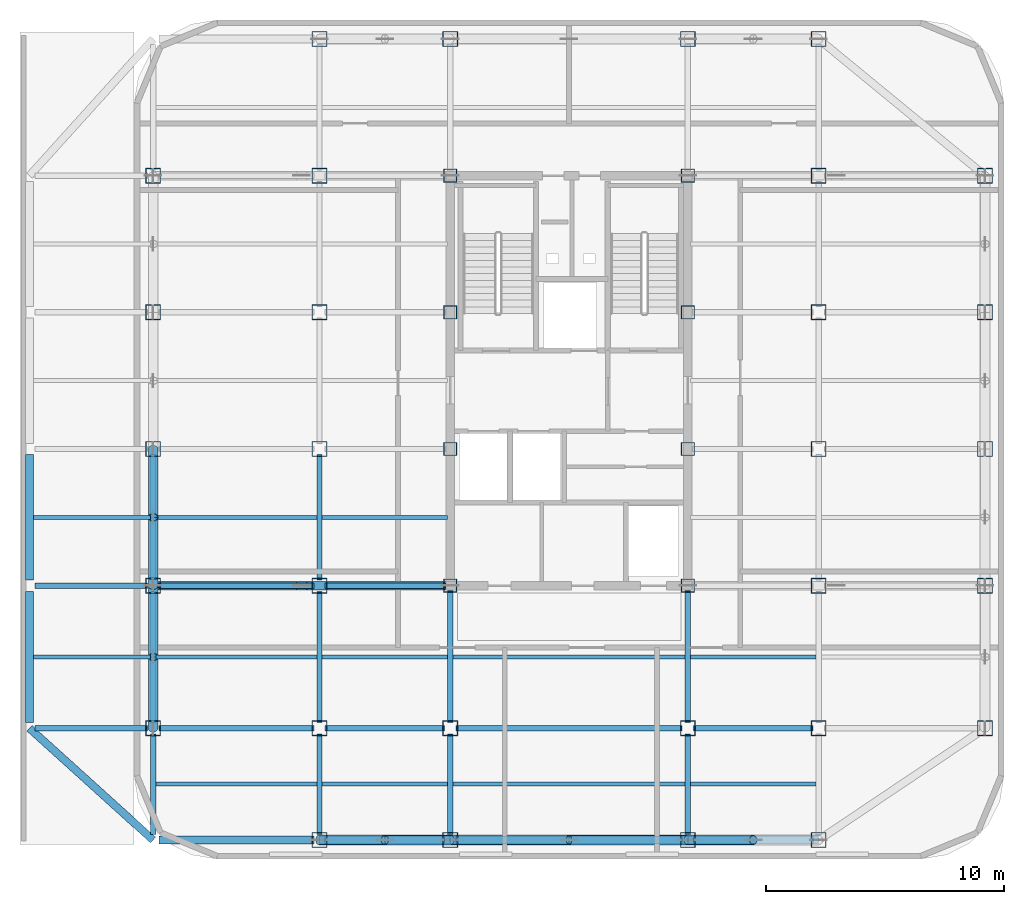
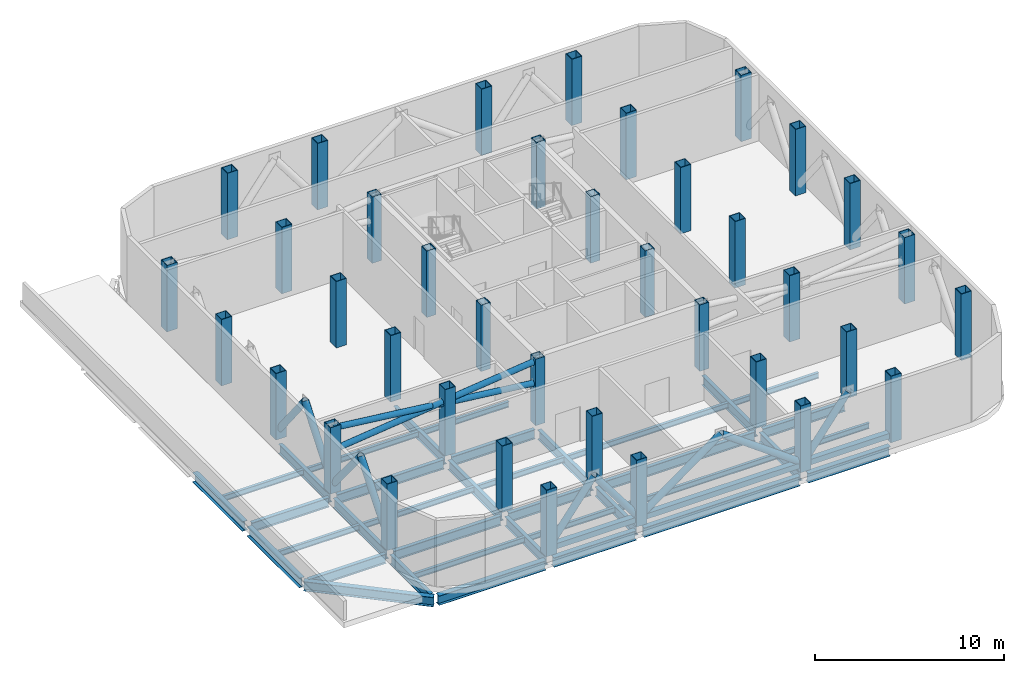
# One storey, part 1 of 7: 38 columns, 37 beams, 15 members.
"""IFC4 building model written with IfcOpenShell, lengths in metres."""

from ifc_helpers import new_model, si_unit, direction, frame, origin, origin_2d, place, context, subcontext, project, spatial, hollow_rectangle, hollow_circle, i_section, extrude, source, transform, mapped, material, material_profile, profile_set, type_object, element, save


model = new_model("IFC4")

# Units and contexts
model_context = context("Model", 3, precision=1e-05, world=origin(), true_north=direction((0.0, 1.0)))
body_context = subcontext(model_context, "Body", "Model", "MODEL_VIEW")
ifc_project = project(units=[si_unit("LENGTHUNIT", "METRE"), si_unit("AREAUNIT", "SQUARE_METRE"), si_unit("VOLUMEUNIT", "CUBIC_METRE"), si_unit("PLANEANGLEUNIT", "RADIAN"), si_unit("MASSUNIT", "GRAM", prefix="KILO")], contexts=[model_context])

# Site, building, storey
site_placement = place(None, origin())
site = spatial("IfcSite", under=ifc_project, at=site_placement, CompositionType="ELEMENT")
building_placement = place(site_placement, origin())
building = spatial("IfcBuilding", under=site, at=building_placement, Name="Kolveth Station Tower", CompositionType="ELEMENT")
storey_placement = place(building_placement, frame((0.0, 0.0, 215.60009765625)))
storey = spatial("IfcBuildingStorey", under=building, at=storey_placement, Name="L61", CompositionType="ELEMENT", Elevation=215.60009765625)

# Columns
ifc_material = material(Name="Steel S355", Category="steel")
ifc_material_profile_1 = material_profile(ifc_material, hollow_rectangle(XDim=0.639892578125, YDim=0.639892578125, WallThickness=0.034912109375, at=origin_2d()), Name="BOX640x640x35")
ifc_profile_set_1 = profile_set([ifc_material_profile_1], Name="Steel S355")
column_type_1 = type_object("IfcColumnType", Name="Col_C7", PredefinedType="COLUMN", material=ifc_profile_set_1)
shared_shape_1 = source(origin(), body_context, "Body", "SweptSolid", [
    extrude(hollow_rectangle(XDim=0.639892578125, YDim=0.639892578125, WallThickness=0.034912109375, at=origin_2d()), origin(), (0.0, 0.0, 1.0), 4.27978515625),
])
for number, where, z_axis, x_axis, name in (
    (1, (13.0, 0.800048828125, 0.0), (0.0, 0.0, 1.0), (1.0, 0.0, 0.0), "L61 Tower Column S-X130"),
    (2, (13.0, 34.5, 0.0), (0.0, 0.0, 1.0), (1.0, 0.0, 0.0), "L61 Tower Column N-X130"),
    (3, (18.5, 0.800048828125, 0.0), (0.0, 0.0, 1.0), (1.0, 0.0, 0.0), "L61 Tower Column S-X185"),
    (4, (18.5, 34.5, 0.0), (0.0, 0.0, 1.0), (1.0, 0.0, 0.0), "L61 Tower Column N-X185"),
    (5, (28.5, 0.800048828125, 0.0), (0.0, 0.0, 1.0), (1.0, 0.0, 0.0), "L61 Tower Column S-X285"),
    (6, (28.5, 34.5, 0.0), (0.0, 0.0, 1.0), (1.0, 0.0, 0.0), "L61 Tower Column N-X285"),
    (7, (34.0, 0.800048828125, 0.0), (0.0, 0.0, 1.0), (1.0, 0.0, 0.0), "L61 Tower Column S-X340"),
    (8, (34.0, 34.5, 0.0), (0.0, 0.0, 1.0), (1.0, 0.0, 0.0), "L61 Tower Column N-X340"),
    (9, (6.0, 5.5, 0.0), (0.0, 0.0, 1.0), (1.0, 0.0, 0.0), "L61 Tower Column W-Y55"),
    (10, (41.0, 5.5, 0.0), (0.0, 0.0, 1.0), (1.0, 0.0, 0.0), "L61 Tower Column E-Y55"),
    (11, (6.0, 11.5, 0.0), (0.0, 0.0, 1.0), (1.0, 0.0, 0.0), "L61 Tower Column W-Y115"),
    (12, (41.0, 11.5, 0.0), (0.0, 0.0, 1.0), (1.0, 0.0, 0.0), "L61 Tower Column E-Y115"),
    (13, (6.0, 17.25, 0.0), (0.0, 0.0, 1.0), (1.0, 0.0, 0.0), "L61 Tower Column W-Y172"),
    (14, (41.0, 17.25, 0.0), (0.0, 0.0, 1.0), (1.0, 0.0, 0.0), "L61 Tower Column E-Y172"),
    (15, (6.0, 23.0, 0.0), (0.0, 0.0, 1.0), (1.0, 0.0, 0.0), "L61 Tower Column W-Y230"),
    (16, (41.0, 23.0, 0.0), (0.0, 0.0, 1.0), (1.0, 0.0, 0.0), "L61 Tower Column E-Y230"),
    (17, (6.0, 28.75, 0.0), (0.0, 0.0, 1.0), (1.0, 0.0, 0.0), "L61 Tower Column W-Y287"),
    (18, (41.0, 28.75, 0.0), (0.0, 0.0, 1.0), (1.0, 0.0, 0.0), "L61 Tower Column E-Y287"),
    (19, (13.0, 5.5, 0.0), (0.0, 0.0, 1.0), (1.0, 0.0, 0.0), "L61 Tower Column G-130-55"),
    (20, (13.0, 11.5, 0.0), (0.0, 0.0, 1.0), (1.0, 0.0, 0.0), "L61 Tower Column G-130-115"),
    (21, (13.0, 17.25, 0.0), (0.0, 0.0, 1.0), (1.0, 0.0, 0.0), "L61 Tower Column G-130-172"),
    (22, (13.0, 23.0, 0.0), (0.0, 0.0, 1.0), (1.0, 0.0, 0.0), "L61 Tower Column G-130-230"),
    (23, (13.0, 28.75, 0.0), (0.0, 0.0, 1.0), (1.0, 0.0, 0.0), "L61 Tower Column G-130-287"),
    (24, (18.5, 5.5, 0.0), (0.0, 0.0, 1.0), (1.0, 0.0, 0.0), "L61 Tower Column G-185-55"),
    (25, (28.5, 5.5, 0.0), (0.0, 0.0, 1.0), (1.0, 0.0, 0.0), "L61 Tower Column G-285-55"),
    (26, (34.0, 5.5, 0.0), (0.0, 0.0, 1.0), (1.0, 0.0, 0.0), "L61 Tower Column G-340-55"),
    (27, (34.0, 11.5, 0.0), (0.0, 0.0, 1.0), (1.0, 0.0, 0.0), "L61 Tower Column G-340-115"),
    (28, (34.0, 17.25, 0.0), (0.0, 0.0, 1.0), (1.0, 0.0, 0.0), "L61 Tower Column G-340-172"),
    (29, (34.0, 23.0, 0.0), (0.0, 0.0, 1.0), (1.0, 0.0, 0.0), "L61 Tower Column G-340-230"),
    (30, (34.0, 28.75, 0.0), (0.0, 0.0, 1.0), (1.0, 0.0, 0.0), "L61 Tower Column G-340-287"),
):
    element("IfcColumn", number, at=place(storey_placement, frame(where, z_axis=z_axis, x_axis=x_axis)), inside=storey, type_object=column_type_1, Name=name, PredefinedType="COLUMN", context=body_context, shape_type="MappedRepresentation", body=[
        mapped(shared_shape_1, transform((0.0, 0.0, 0.0), x_axis=(1.0, 0.0, 0.0), y_axis=(0.0, 1.0, 0.0), z_axis=(0.0, 0.0, 1.0), scale=1.0)),
    ])
ifc_material_profile_2 = material_profile(ifc_material, hollow_rectangle(XDim=0.56005859375, YDim=0.56005859375, WallThickness=0.030029296875, at=origin_2d()), Name="BOX560x560x30")
ifc_profile_set_2 = profile_set([ifc_material_profile_2], Name="Steel S355")
column_type_2 = type_object("IfcColumnType", Name="Col_C8", PredefinedType="COLUMN", material=ifc_profile_set_2)
shared_shape_2 = source(origin(), body_context, "Body", "SweptSolid", [
    extrude(hollow_rectangle(XDim=0.56005859375, YDim=0.56005859375, WallThickness=0.030029296875, at=origin_2d()), origin(), (0.0, 0.0, 1.0), 4.27978515625),
])
for number, where, z_axis, x_axis, name in (
    (31, (18.5, 11.5, 0.0), (0.0, 0.0, 1.0), (1.0, 0.0, 0.0), "L61 Tower Column G-185-115"),
    (32, (18.5, 17.25, 0.0), (0.0, 0.0, 1.0), (1.0, 0.0, 0.0), "L61 Tower Column G-185-172"),
    (33, (18.5, 23.0, 0.0), (0.0, 0.0, 1.0), (1.0, 0.0, 0.0), "L61 Tower Column G-185-230"),
    (34, (18.5, 28.75, 0.0), (0.0, 0.0, 1.0), (1.0, 0.0, 0.0), "L61 Tower Column G-185-287"),
    (35, (28.5, 11.5, 0.0), (0.0, 0.0, 1.0), (1.0, 0.0, 0.0), "L61 Tower Column G-285-115"),
    (36, (28.5, 17.25, 0.0), (0.0, 0.0, 1.0), (1.0, 0.0, 0.0), "L61 Tower Column G-285-172"),
    (37, (28.5, 23.0, 0.0), (0.0, 0.0, 1.0), (1.0, 0.0, 0.0), "L61 Tower Column G-285-230"),
    (38, (28.5, 28.75, 0.0), (0.0, 0.0, 1.0), (1.0, 0.0, 0.0), "L61 Tower Column G-285-287"),
):
    element("IfcColumn", number, at=place(storey_placement, frame(where, z_axis=z_axis, x_axis=x_axis)), inside=storey, type_object=column_type_2, Name=name, PredefinedType="COLUMN", context=body_context, shape_type="MappedRepresentation", body=[
        mapped(shared_shape_2, transform((0.0, 0.0, 0.0), x_axis=(1.0, 0.0, 0.0), y_axis=(0.0, 1.0, 0.0), z_axis=(0.0, 0.0, 1.0), scale=1.0)),
    ])

# Beams
ifc_material_profile_3 = material_profile(ifc_material, i_section(OverallWidth=0.323974609375, OverallDepth=0.611083984375, WebThickness=0.0126953125, FlangeThickness=0.01904296875, at=origin_2d()), Name="W610x155")
ifc_profile_set_3 = profile_set([ifc_material_profile_3], Name="Steel S355")
beam_type_1 = type_object("IfcBeamType", Name="Beam_SP2", PredefinedType="SPANDREL", material=ifc_profile_set_3)
shared_shape_3 = source(origin(), body_context, "Body", "SweptSolid", [
    extrude(i_section(OverallWidth=0.323974609375, OverallDepth=0.611083984375, WebThickness=0.0126953125, FlangeThickness=0.01904296875, at=origin_2d()), origin(), (0.0, 0.0, 1.0), 7.00927734375),
])
beam_1_placement = place(storey_placement, frame((0.800048828125, 5.5, -0.66552734375), z_axis=(0.741874009795, -0.670539300557, 0.0), x_axis=(0.670539300557, 0.741874009795, 0.0)))
element("IfcBeam", 39, at=beam_1_placement, inside=storey, type_object=beam_type_1, Name="L61 Corner Edge Girder BM-L61-CNR-SW", PredefinedType="SPANDREL", context=body_context, shape_type="MappedRepresentation", body=[
    mapped(shared_shape_3, transform((0.0, 0.0, 0.0), x_axis=(1.0, 0.0, 0.0), y_axis=(0.0, 1.0, 0.0), z_axis=(0.0, 0.0, 1.0), scale=1.0)),
])
shared_shape_4 = source(origin(), body_context, "Body", "SweptSolid", [
    extrude(i_section(OverallWidth=0.323974609375, OverallDepth=0.611083984375, WebThickness=0.0126953125, FlangeThickness=0.01904296875, at=origin_2d()), origin(), (0.0, 0.0, 1.0), 6.52001953125),
])
beam_2_placement = place(storey_placement, frame((6.239990234375, 0.800048828125, -0.66552734375), z_axis=(1.0, 0.0, 0.0), x_axis=(0.0, 1.0, 0.0)))
element("IfcBeam", 40, at=beam_2_placement, inside=storey, type_object=beam_type_1, Name="L61 Perimeter Spandrel BM-L61-PS-1", PredefinedType="SPANDREL", context=body_context, shape_type="MappedRepresentation", body=[
    mapped(shared_shape_4, transform((0.0, 0.0, 0.0), x_axis=(1.0, 0.0, 0.0), y_axis=(0.0, 1.0, 0.0), z_axis=(0.0, 0.0, 1.0), scale=1.0)),
])
shared_shape_5 = source(origin(), body_context, "Body", "SweptSolid", [
    extrude(i_section(OverallWidth=0.323974609375, OverallDepth=0.611083984375, WebThickness=0.0126953125, FlangeThickness=0.01904296875, at=origin_2d()), origin(), (0.0, 0.0, 1.0), 5.02001953125),
])
for number, where, z_axis, x_axis, name in (
    (41, (13.239990234375, 0.800048828125, -0.66552734375), (1.0, 0.0, 0.0), (0.0, 1.0, 0.0), "L61 Perimeter Spandrel BM-L61-PS-2"),
    (42, (28.739990234375, 0.800048828125, -0.66552734375), (1.0, 0.0, 0.0), (0.0, 1.0, 0.0), "L61 Perimeter Spandrel BM-L61-PS-4"),
):
    element("IfcBeam", number, at=place(storey_placement, frame(where, z_axis=z_axis, x_axis=x_axis)), inside=storey, type_object=beam_type_1, Name=name, PredefinedType="SPANDREL", context=body_context, shape_type="MappedRepresentation", body=[
        mapped(shared_shape_5, transform((0.0, 0.0, 0.0), x_axis=(1.0, 0.0, 0.0), y_axis=(0.0, 1.0, 0.0), z_axis=(0.0, 0.0, 1.0), scale=1.0)),
    ])
shared_shape_6 = source(origin(), body_context, "Body", "SweptSolid", [
    extrude(i_section(OverallWidth=0.323974609375, OverallDepth=0.611083984375, WebThickness=0.0126953125, FlangeThickness=0.01904296875, at=origin_2d()), origin(), (0.0, 0.0, 1.0), 9.52001953125),
])
beam_3_placement = place(storey_placement, frame((18.739990234375, 0.800048828125, -0.66552734375), z_axis=(1.0, 0.0, 0.0), x_axis=(0.0, 1.0, 0.0)))
element("IfcBeam", 43, at=beam_3_placement, inside=storey, type_object=beam_type_1, Name="L61 Perimeter Spandrel BM-L61-PS-3", PredefinedType="SPANDREL", context=body_context, shape_type="MappedRepresentation", body=[
    mapped(shared_shape_6, transform((0.0, 0.0, 0.0), x_axis=(1.0, 0.0, 0.0), y_axis=(0.0, 1.0, 0.0), z_axis=(0.0, 0.0, 1.0), scale=1.0)),
])
shared_shape_7 = source(origin(), body_context, "Body", "SweptSolid", [
    extrude(i_section(OverallWidth=0.323974609375, OverallDepth=0.611083984375, WebThickness=0.0126953125, FlangeThickness=0.01904296875, at=origin_2d()), origin(), (0.0, 0.0, 1.0), 5.52001953125),
])
beam_4_placement = place(storey_placement, frame((0.800048828125, 5.739990234375, -0.66552734375), z_axis=(0.0, 1.0, 0.0), x_axis=(-1.0, 0.0, 0.0)))
element("IfcBeam", 44, at=beam_4_placement, inside=storey, type_object=beam_type_1, Name="L61 Perimeter Spandrel BM-L61-PW-1", PredefinedType="SPANDREL", context=body_context, shape_type="MappedRepresentation", body=[
    mapped(shared_shape_7, transform((0.0, 0.0, 0.0), x_axis=(1.0, 0.0, 0.0), y_axis=(0.0, 1.0, 0.0), z_axis=(0.0, 0.0, 1.0), scale=1.0)),
])
shared_shape_8 = source(origin(), body_context, "Body", "SweptSolid", [
    extrude(i_section(OverallWidth=0.323974609375, OverallDepth=0.611083984375, WebThickness=0.0126953125, FlangeThickness=0.01904296875, at=origin_2d()), origin(), (0.0, 0.0, 1.0), 5.27001953125),
])
beam_5_placement = place(storey_placement, frame((0.800048828125, 11.739990234375, -0.66552734375), z_axis=(0.0, 1.0, 0.0), x_axis=(-1.0, 0.0, 0.0)))
element("IfcBeam", 45, at=beam_5_placement, inside=storey, type_object=beam_type_1, Name="L61 Perimeter Spandrel BM-L61-PW-2", PredefinedType="SPANDREL", context=body_context, shape_type="MappedRepresentation", body=[
    mapped(shared_shape_8, transform((0.0, 0.0, 0.0), x_axis=(1.0, 0.0, 0.0), y_axis=(0.0, 1.0, 0.0), z_axis=(0.0, 0.0, 1.0), scale=1.0)),
])
ifc_material_profile_4 = material_profile(ifc_material, i_section(OverallWidth=0.22900390625, OverallDepth=0.612060546875, WebThickness=0.011962890625, FlangeThickness=0.01953125, at=origin_2d()), Name="W610x125")
ifc_profile_set_4 = profile_set([ifc_material_profile_4], Name="Steel S355")
beam_type_2 = type_object("IfcBeamType", Name="Beam_B5", PredefinedType="BEAM", material=ifc_profile_set_4)
shared_shape_9 = source(origin(), body_context, "Body", "SweptSolid", [
    extrude(i_section(OverallWidth=0.22900390625, OverallDepth=0.612060546875, WebThickness=0.011962890625, FlangeThickness=0.01953125, at=origin_2d()), origin(), (0.0, 0.0, 1.0), 4.719970703125),
])
for number, where, z_axis, x_axis, name in (
    (46, (1.0400390625, 5.5, -0.666015625), (1.0, 0.0, 0.0), (0.0, 1.0, 0.0), "L61 Primary Girder BM-L61-GY55-1"),
    (47, (1.0400390625, 11.5, -0.666015625), (1.0, 0.0, 0.0), (0.0, 1.0, 0.0), "L61 Primary Girder BM-L61-GY115-1"),
):
    element("IfcBeam", number, at=place(storey_placement, frame(where, z_axis=z_axis, x_axis=x_axis)), inside=storey, type_object=beam_type_2, Name=name, PredefinedType="BEAM", context=body_context, shape_type="MappedRepresentation", body=[
        mapped(shared_shape_9, transform((0.0, 0.0, 0.0), x_axis=(1.0, 0.0, 0.0), y_axis=(0.0, 1.0, 0.0), z_axis=(0.0, 0.0, 1.0), scale=1.0)),
    ])
shared_shape_10 = source(origin(), body_context, "Body", "SweptSolid", [
    extrude(i_section(OverallWidth=0.22900390625, OverallDepth=0.612060546875, WebThickness=0.011962890625, FlangeThickness=0.01953125, at=origin_2d()), origin(), (0.0, 0.0, 1.0), 6.52001953125),
])
for number, where, z_axis, x_axis, name in (
    (48, (6.239990234375, 5.5, -0.666015625), (1.0, 0.0, 0.0), (0.0, 1.0, 0.0), "L61 Primary Girder BM-L61-GY55-2"),
    (49, (6.239990234375, 11.5, -0.666015625), (1.0, 0.0, 0.0), (0.0, 1.0, 0.0), "L61 Primary Girder BM-L61-GY115-2"),
):
    element("IfcBeam", number, at=place(storey_placement, frame(where, z_axis=z_axis, x_axis=x_axis)), inside=storey, type_object=beam_type_2, Name=name, PredefinedType="BEAM", context=body_context, shape_type="MappedRepresentation", body=[
        mapped(shared_shape_10, transform((0.0, 0.0, 0.0), x_axis=(1.0, 0.0, 0.0), y_axis=(0.0, 1.0, 0.0), z_axis=(0.0, 0.0, 1.0), scale=1.0)),
    ])
shared_shape_11 = source(origin(), body_context, "Body", "SweptSolid", [
    extrude(i_section(OverallWidth=0.22900390625, OverallDepth=0.612060546875, WebThickness=0.011962890625, FlangeThickness=0.01953125, at=origin_2d()), origin(), (0.0, 0.0, 1.0), 5.02001953125),
])
for number, where, z_axis, x_axis, name in (
    (50, (13.239990234375, 5.5, -0.666015625), (1.0, 0.0, 0.0), (0.0, 1.0, 0.0), "L61 Primary Girder BM-L61-GY55-3"),
    (51, (28.739990234375, 5.5, -0.666015625), (1.0, 0.0, 0.0), (0.0, 1.0, 0.0), "L61 Primary Girder BM-L61-GY55-5"),
):
    element("IfcBeam", number, at=place(storey_placement, frame(where, z_axis=z_axis, x_axis=x_axis)), inside=storey, type_object=beam_type_2, Name=name, PredefinedType="BEAM", context=body_context, shape_type="MappedRepresentation", body=[
        mapped(shared_shape_11, transform((0.0, 0.0, 0.0), x_axis=(1.0, 0.0, 0.0), y_axis=(0.0, 1.0, 0.0), z_axis=(0.0, 0.0, 1.0), scale=1.0)),
    ])
shared_shape_12 = source(origin(), body_context, "Body", "SweptSolid", [
    extrude(i_section(OverallWidth=0.22900390625, OverallDepth=0.612060546875, WebThickness=0.011962890625, FlangeThickness=0.01953125, at=origin_2d()), origin(), (0.0, 0.0, 1.0), 9.52001953125),
])
beam_6_placement = place(storey_placement, frame((18.739990234375, 5.5, -0.666015625), z_axis=(1.0, 0.0, 0.0), x_axis=(0.0, 1.0, 0.0)))
element("IfcBeam", 52, at=beam_6_placement, inside=storey, type_object=beam_type_2, Name="L61 Primary Girder BM-L61-GY55-4", PredefinedType="BEAM", context=body_context, shape_type="MappedRepresentation", body=[
    mapped(shared_shape_12, transform((0.0, 0.0, 0.0), x_axis=(1.0, 0.0, 0.0), y_axis=(0.0, 1.0, 0.0), z_axis=(0.0, 0.0, 1.0), scale=1.0)),
])
shared_shape_13 = source(origin(), body_context, "Body", "SweptSolid", [
    extrude(i_section(OverallWidth=0.22900390625, OverallDepth=0.612060546875, WebThickness=0.011962890625, FlangeThickness=0.01953125, at=origin_2d()), origin(), (0.0, 0.0, 1.0), 5.06005859375),
])
beam_7_placement = place(storey_placement, frame((13.239990234375, 11.5, -0.666015625), z_axis=(1.0, 0.0, 0.0), x_axis=(0.0, 1.0, 0.0)))
element("IfcBeam", 53, at=beam_7_placement, inside=storey, type_object=beam_type_2, Name="L61 Primary Girder BM-L61-GY115-3", PredefinedType="BEAM", context=body_context, shape_type="MappedRepresentation", body=[
    mapped(shared_shape_13, transform((0.0, 0.0, 0.0), x_axis=(1.0, 0.0, 0.0), y_axis=(0.0, 1.0, 0.0), z_axis=(0.0, 0.0, 1.0), scale=1.0)),
])
shared_shape_14 = source(origin(), body_context, "Body", "SweptSolid", [
    extrude(i_section(OverallWidth=0.22900390625, OverallDepth=0.612060546875, WebThickness=0.011962890625, FlangeThickness=0.01953125, at=origin_2d()), origin(), (0.0, 0.0, 1.0), 4.219970703125),
])
for number, where, z_axis, x_axis, name in (
    (54, (6.0, 1.0400390625, -0.666015625), (0.0, 1.0, 0.0), (-1.0, 0.0, 0.0), "L61 Primary Girder BM-L61-GX60-1"),
    (55, (13.0, 1.0400390625, -0.666015625), (0.0, 1.0, 0.0), (-1.0, 0.0, 0.0), "L61 Primary Girder BM-L61-GX130-1"),
    (56, (18.5, 1.0400390625, -0.666015625), (0.0, 1.0, 0.0), (-1.0, 0.0, 0.0), "L61 Primary Girder BM-L61-GX185-1"),
    (57, (28.5, 1.0400390625, -0.666015625), (0.0, 1.0, 0.0), (-1.0, 0.0, 0.0), "L61 Primary Girder BM-L61-GX285-1"),
):
    element("IfcBeam", number, at=place(storey_placement, frame(where, z_axis=z_axis, x_axis=x_axis)), inside=storey, type_object=beam_type_2, Name=name, PredefinedType="BEAM", context=body_context, shape_type="MappedRepresentation", body=[
        mapped(shared_shape_14, transform((0.0, 0.0, 0.0), x_axis=(1.0, 0.0, 0.0), y_axis=(0.0, 1.0, 0.0), z_axis=(0.0, 0.0, 1.0), scale=1.0)),
    ])
shared_shape_15 = source(origin(), body_context, "Body", "SweptSolid", [
    extrude(i_section(OverallWidth=0.22900390625, OverallDepth=0.612060546875, WebThickness=0.011962890625, FlangeThickness=0.01953125, at=origin_2d()), origin(), (0.0, 0.0, 1.0), 5.52001953125),
])
for number, where, z_axis, x_axis, name in (
    (58, (6.0, 5.739990234375, -0.666015625), (0.0, 1.0, 0.0), (-1.0, 0.0, 0.0), "L61 Primary Girder BM-L61-GX60-2"),
    (59, (13.0, 5.739990234375, -0.666015625), (0.0, 1.0, 0.0), (-1.0, 0.0, 0.0), "L61 Primary Girder BM-L61-GX130-2"),
):
    element("IfcBeam", number, at=place(storey_placement, frame(where, z_axis=z_axis, x_axis=x_axis)), inside=storey, type_object=beam_type_2, Name=name, PredefinedType="BEAM", context=body_context, shape_type="MappedRepresentation", body=[
        mapped(shared_shape_15, transform((0.0, 0.0, 0.0), x_axis=(1.0, 0.0, 0.0), y_axis=(0.0, 1.0, 0.0), z_axis=(0.0, 0.0, 1.0), scale=1.0)),
    ])
shared_shape_16 = source(origin(), body_context, "Body", "SweptSolid", [
    extrude(i_section(OverallWidth=0.22900390625, OverallDepth=0.612060546875, WebThickness=0.011962890625, FlangeThickness=0.01953125, at=origin_2d()), origin(), (0.0, 0.0, 1.0), 5.27001953125),
])
for number, where, z_axis, x_axis, name in (
    (60, (6.0, 11.739990234375, -0.666015625), (0.0, 1.0, 0.0), (-1.0, 0.0, 0.0), "L61 Primary Girder BM-L61-GX60-3"),
    (61, (13.0, 11.739990234375, -0.666015625), (0.0, 1.0, 0.0), (-1.0, 0.0, 0.0), "L61 Primary Girder BM-L61-GX130-3"),
):
    element("IfcBeam", number, at=place(storey_placement, frame(where, z_axis=z_axis, x_axis=x_axis)), inside=storey, type_object=beam_type_2, Name=name, PredefinedType="BEAM", context=body_context, shape_type="MappedRepresentation", body=[
        mapped(shared_shape_16, transform((0.0, 0.0, 0.0), x_axis=(1.0, 0.0, 0.0), y_axis=(0.0, 1.0, 0.0), z_axis=(0.0, 0.0, 1.0), scale=1.0)),
    ])
shared_shape_17 = source(origin(), body_context, "Body", "SweptSolid", [
    extrude(i_section(OverallWidth=0.22900390625, OverallDepth=0.612060546875, WebThickness=0.011962890625, FlangeThickness=0.01953125, at=origin_2d()), origin(), (0.0, 0.0, 1.0), 5.56005859375),
])
for number, where, z_axis, x_axis, name in (
    (62, (18.5, 5.739990234375, -0.666015625), (0.0, 1.0, 0.0), (-1.0, 0.0, 0.0), "L61 Primary Girder BM-L61-GX185-2"),
    (63, (28.5, 5.739990234375, -0.666015625), (0.0, 1.0, 0.0), (-1.0, 0.0, 0.0), "L61 Primary Girder BM-L61-GX285-2"),
):
    element("IfcBeam", number, at=place(storey_placement, frame(where, z_axis=z_axis, x_axis=x_axis)), inside=storey, type_object=beam_type_2, Name=name, PredefinedType="BEAM", context=body_context, shape_type="MappedRepresentation", body=[
        mapped(shared_shape_17, transform((0.0, 0.0, 0.0), x_axis=(1.0, 0.0, 0.0), y_axis=(0.0, 1.0, 0.0), z_axis=(0.0, 0.0, 1.0), scale=1.0)),
    ])
ifc_material_profile_5 = material_profile(ifc_material, i_section(OverallWidth=0.1708984375, OverallDepth=0.35205078125, WebThickness=0.0068359375, FlangeThickness=0.009765625, at=origin_2d()), Name="W360x44")
ifc_profile_set_5 = profile_set([ifc_material_profile_5], Name="Steel S355")
beam_type_3 = type_object("IfcBeamType", Name="Beam_J2", PredefinedType="JOIST", material=ifc_profile_set_5)
shared_shape_18 = source(origin(), body_context, "Body", "SweptSolid", [
    extrude(i_section(OverallWidth=0.1708984375, OverallDepth=0.35205078125, WebThickness=0.0068359375, FlangeThickness=0.009765625, at=origin_2d()), origin(), (0.0, 0.0, 1.0), 4.927490234375),
])
for number, where, z_axis, x_axis, name in (
    (64, (0.9599609375, 8.5, -0.5361328125), (1.0, 0.0, 0.0), (0.0, 1.0, 0.0), "L61 Secondary Joist JST-L61-1-2"),
    (65, (0.9599609375, 14.375, -0.5361328125), (1.0, 0.0, 0.0), (0.0, 1.0, 0.0), "L61 Secondary Joist JST-L61-1-3"),
):
    element("IfcBeam", number, at=place(storey_placement, frame(where, z_axis=z_axis, x_axis=x_axis)), inside=storey, type_object=beam_type_3, Name=name, PredefinedType="JOIST", context=body_context, shape_type="MappedRepresentation", body=[
        mapped(shared_shape_18, transform((0.0, 0.0, 0.0), x_axis=(1.0, 0.0, 0.0), y_axis=(0.0, 1.0, 0.0), z_axis=(0.0, 0.0, 1.0), scale=1.0)),
    ])
shared_shape_19 = source(origin(), body_context, "Body", "SweptSolid", [
    extrude(i_section(OverallWidth=0.1708984375, OverallDepth=0.35205078125, WebThickness=0.0068359375, FlangeThickness=0.009765625, at=origin_2d()), origin(), (0.0, 0.0, 1.0), 6.77490234375),
])
for number, where, z_axis, x_axis, name in (
    (66, (6.112548828125, 3.14990234375, -0.5361328125), (1.0, 0.0, 0.0), (0.0, 1.0, 0.0), "L61 Secondary Joist JST-L61-2-1"),
    (67, (6.112548828125, 8.5, -0.5361328125), (1.0, 0.0, 0.0), (0.0, 1.0, 0.0), "L61 Secondary Joist JST-L61-2-2"),
    (68, (6.112548828125, 14.375, -0.5361328125), (1.0, 0.0, 0.0), (0.0, 1.0, 0.0), "L61 Secondary Joist JST-L61-2-3"),
):
    element("IfcBeam", number, at=place(storey_placement, frame(where, z_axis=z_axis, x_axis=x_axis)), inside=storey, type_object=beam_type_3, Name=name, PredefinedType="JOIST", context=body_context, shape_type="MappedRepresentation", body=[
        mapped(shared_shape_19, transform((0.0, 0.0, 0.0), x_axis=(1.0, 0.0, 0.0), y_axis=(0.0, 1.0, 0.0), z_axis=(0.0, 0.0, 1.0), scale=1.0)),
    ])
shared_shape_20 = source(origin(), body_context, "Body", "SweptSolid", [
    extrude(i_section(OverallWidth=0.1708984375, OverallDepth=0.35205078125, WebThickness=0.0068359375, FlangeThickness=0.009765625, at=origin_2d()), origin(), (0.0, 0.0, 1.0), 5.27490234375),
])
for number, where, z_axis, x_axis, name in (
    (69, (13.112548828125, 3.14990234375, -0.5361328125), (1.0, 0.0, 0.0), (0.0, 1.0, 0.0), "L61 Secondary Joist JST-L61-3-1"),
    (70, (13.112548828125, 8.5, -0.5361328125), (1.0, 0.0, 0.0), (0.0, 1.0, 0.0), "L61 Secondary Joist JST-L61-3-2"),
    (71, (13.112548828125, 14.375, -0.5361328125), (1.0, 0.0, 0.0), (0.0, 1.0, 0.0), "L61 Secondary Joist JST-L61-3-3"),
    (72, (28.612548828125, 3.14990234375, -0.5361328125), (1.0, 0.0, 0.0), (0.0, 1.0, 0.0), "L61 Secondary Joist JST-L61-5-1"),
    (73, (28.612548828125, 8.5, -0.5361328125), (1.0, 0.0, 0.0), (0.0, 1.0, 0.0), "L61 Secondary Joist JST-L61-5-2"),
):
    element("IfcBeam", number, at=place(storey_placement, frame(where, z_axis=z_axis, x_axis=x_axis)), inside=storey, type_object=beam_type_3, Name=name, PredefinedType="JOIST", context=body_context, shape_type="MappedRepresentation", body=[
        mapped(shared_shape_20, transform((0.0, 0.0, 0.0), x_axis=(1.0, 0.0, 0.0), y_axis=(0.0, 1.0, 0.0), z_axis=(0.0, 0.0, 1.0), scale=1.0)),
    ])
shared_shape_21 = source(origin(), body_context, "Body", "SweptSolid", [
    extrude(i_section(OverallWidth=0.1708984375, OverallDepth=0.35205078125, WebThickness=0.0068359375, FlangeThickness=0.009765625, at=origin_2d()), origin(), (0.0, 0.0, 1.0), 9.77490234375),
])
for number, where, z_axis, x_axis, name in (
    (74, (18.612548828125, 3.14990234375, -0.5361328125), (1.0, 0.0, 0.0), (0.0, 1.0, 0.0), "L61 Secondary Joist JST-L61-4-1"),
    (75, (18.612548828125, 8.5, -0.5361328125), (1.0, 0.0, 0.0), (0.0, 1.0, 0.0), "L61 Secondary Joist JST-L61-4-2"),
):
    element("IfcBeam", number, at=place(storey_placement, frame(where, z_axis=z_axis, x_axis=x_axis)), inside=storey, type_object=beam_type_3, Name=name, PredefinedType="JOIST", context=body_context, shape_type="MappedRepresentation", body=[
        mapped(shared_shape_21, transform((0.0, 0.0, 0.0), x_axis=(1.0, 0.0, 0.0), y_axis=(0.0, 1.0, 0.0), z_axis=(0.0, 0.0, 1.0), scale=1.0)),
    ])

# Members
ifc_material_profile_6 = material_profile(ifc_material, hollow_circle(Radius=0.202880859375, WallThickness=0.02001953125, at=origin_2d()), Name="CHS406x20")
ifc_profile_set_6 = profile_set([ifc_material_profile_6], Name="Steel S355")
member_type_1 = type_object("IfcMemberType", Name="Mem_BR3", PredefinedType="BRACE", material=ifc_profile_set_6)
shared_shape_22 = source(origin(), body_context, "Body", "SweptSolid", [
    extrude(hollow_circle(Radius=0.202880859375, WallThickness=0.02001953125, at=origin_2d()), origin(), (0.0, 0.0, 1.0), 4.55419921875),
])
for number, where, z_axis, x_axis, name in (
    (76, (13.0, 0.800048828125, 0.349853515625), (0.603844270188, 0.0, 0.797102312982), (0.0, 1.0, 0.0), "L61 Belt Truss Brace S1A"),
    (77, (18.5, 0.800048828125, 0.349853515625), (-0.603844270188, 0.0, 0.797102312982), (0.0, -1.0, 0.0), "L61 Belt Truss Brace S1B"),
    (78, (28.5, 0.800048828125, 0.349853515625), (0.603844270188, 0.0, 0.797102312982), (0.0, 1.0, 0.0), "L61 Belt Truss Brace S3A"),
):
    element("IfcMember", number, at=place(storey_placement, frame(where, z_axis=z_axis, x_axis=x_axis)), inside=storey, type_object=member_type_1, Name=name, PredefinedType="BRACE", context=body_context, shape_type="MappedRepresentation", body=[
        mapped(shared_shape_22, transform((0.0, 0.0, 0.0), x_axis=(1.0, 0.0, 0.0), y_axis=(0.0, 1.0, 0.0), z_axis=(0.0, 0.0, 1.0), scale=1.0)),
    ])
ifc_material_profile_7 = material_profile(ifc_material, hollow_rectangle(XDim=0.35009765625, YDim=0.35009765625, WallThickness=0.02001953125, at=origin_2d()), Name="HSS350x350x20")
ifc_profile_set_7 = profile_set([ifc_material_profile_7], Name="Steel S355")
member_type_2 = type_object("IfcMemberType", Name="Mem_CH2", PredefinedType="CHORD", material=ifc_profile_set_7)
shared_shape_23 = source(origin(), body_context, "Body", "SweptSolid", [
    extrude(hollow_rectangle(XDim=0.35009765625, YDim=0.35009765625, WallThickness=0.02001953125, at=origin_2d()), origin(), (0.0, 0.0, 1.0), 5.5),
])
for number, where, z_axis, x_axis, name in (
    (79, (13.0, 0.800048828125, 0.349853515625), (1.0, 0.0, 0.0), (0.0, 1.0, 0.0), "L61 Belt Truss Bottom Chord S1"),
    (80, (28.5, 0.800048828125, 0.349853515625), (1.0, 0.0, 0.0), (0.0, 1.0, 0.0), "L61 Belt Truss Bottom Chord S3"),
):
    element("IfcMember", number, at=place(storey_placement, frame(where, z_axis=z_axis, x_axis=x_axis)), inside=storey, type_object=member_type_2, Name=name, PredefinedType="CHORD", context=body_context, shape_type="MappedRepresentation", body=[
        mapped(shared_shape_23, transform((0.0, 0.0, 0.0), x_axis=(1.0, 0.0, 0.0), y_axis=(0.0, 1.0, 0.0), z_axis=(0.0, 0.0, 1.0), scale=1.0)),
    ])
shared_shape_24 = source(origin(), body_context, "Body", "SweptSolid", [
    extrude(hollow_circle(Radius=0.202880859375, WallThickness=0.02001953125, at=origin_2d()), origin(), (0.0, 0.0, 1.0), 6.1787109375),
])
for number, where, z_axis, x_axis, name in (
    (81, (18.5, 0.800048828125, 0.349853515625), (0.809215945086, 0.0, 0.587511322631), (0.0, 1.0, 0.0), "L61 Belt Truss Brace S2A"),
    (82, (28.5, 0.800048828125, 0.349853515625), (-0.809215945086, 0.0, 0.587511322631), (0.0, -1.0, 0.0), "L61 Belt Truss Brace S2B"),
):
    element("IfcMember", number, at=place(storey_placement, frame(where, z_axis=z_axis, x_axis=x_axis)), inside=storey, type_object=member_type_1, Name=name, PredefinedType="BRACE", context=body_context, shape_type="MappedRepresentation", body=[
        mapped(shared_shape_24, transform((0.0, 0.0, 0.0), x_axis=(1.0, 0.0, 0.0), y_axis=(0.0, 1.0, 0.0), z_axis=(0.0, 0.0, 1.0), scale=1.0)),
    ])
shared_shape_25 = source(origin(), body_context, "Body", "SweptSolid", [
    extrude(hollow_rectangle(XDim=0.35009765625, YDim=0.35009765625, WallThickness=0.02001953125, at=origin_2d()), origin(), (0.0, 0.0, 1.0), 10.0),
])
member_1_placement = place(storey_placement, frame((18.5, 0.800048828125, 0.349853515625), z_axis=(1.0, 0.0, 0.0), x_axis=(0.0, 1.0, 0.0)))
element("IfcMember", 83, at=member_1_placement, inside=storey, type_object=member_type_2, Name="L61 Belt Truss Bottom Chord S2", PredefinedType="CHORD", context=body_context, shape_type="MappedRepresentation", body=[
    mapped(shared_shape_25, transform((0.0, 0.0, 0.0), x_axis=(1.0, 0.0, 0.0), y_axis=(0.0, 1.0, 0.0), z_axis=(0.0, 0.0, 1.0), scale=1.0)),
])
shared_shape_26 = source(origin(), body_context, "Body", "SweptSolid", [
    extrude(hollow_circle(Radius=0.202880859375, WallThickness=0.02001953125, at=origin_2d()), origin(), (0.0, 0.0, 1.0), 4.709228515625),
])
for number, where, z_axis, x_axis, name in (
    (84, (6.0, 5.5, 0.349853515625), (0.0, 0.63703282461, 0.770836675548), (-1.0, 0.0, 0.0), "L61 Belt Truss Brace W1A"),
    (85, (6.0, 11.5, 0.349853515625), (0.0, -0.63703282461, 0.770836675548), (1.0, 0.0, 0.0), "L61 Belt Truss Brace W1B"),
):
    element("IfcMember", number, at=place(storey_placement, frame(where, z_axis=z_axis, x_axis=x_axis)), inside=storey, type_object=member_type_1, Name=name, PredefinedType="BRACE", context=body_context, shape_type="MappedRepresentation", body=[
        mapped(shared_shape_26, transform((0.0, 0.0, 0.0), x_axis=(1.0, 0.0, 0.0), y_axis=(0.0, 1.0, 0.0), z_axis=(0.0, 0.0, 1.0), scale=1.0)),
    ])
shared_shape_27 = source(origin(), body_context, "Body", "SweptSolid", [
    extrude(hollow_circle(Radius=0.202880859375, WallThickness=0.02001953125, at=origin_2d()), origin(), (0.0, 0.0, 1.0), 4.630615234375),
])
for number, where, z_axis, x_axis, name in (
    (86, (6.0, 11.5, 0.349853515625), (0.0, 0.620855528504, 0.783925004529), (-1.0, 0.0, 0.0), "L61 Belt Truss Brace W2A"),
    (87, (6.0, 17.25, 0.349853515625), (0.0, -0.620855528504, 0.783925004529), (1.0, 0.0, 0.0), "L61 Belt Truss Brace W2B"),
):
    element("IfcMember", number, at=place(storey_placement, frame(where, z_axis=z_axis, x_axis=x_axis)), inside=storey, type_object=member_type_1, Name=name, PredefinedType="BRACE", context=body_context, shape_type="MappedRepresentation", body=[
        mapped(shared_shape_27, transform((0.0, 0.0, 0.0), x_axis=(1.0, 0.0, 0.0), y_axis=(0.0, 1.0, 0.0), z_axis=(0.0, 0.0, 1.0), scale=1.0)),
    ])
ifc_material_profile_8 = material_profile(ifc_material, hollow_circle(Radius=0.177978515625, WallThickness=0.01611328125, at=origin_2d()), Name="CHS356x16")
ifc_profile_set_8 = profile_set([ifc_material_profile_8], Name="Steel S355")
member_type_3 = type_object("IfcMemberType", Name="Mem_BR4", PredefinedType="BRACE", material=ifc_profile_set_8)
shared_shape_28 = source(origin(), body_context, "Body", "SweptSolid", [
    extrude(hollow_circle(Radius=0.177978515625, WallThickness=0.01611328125, at=origin_2d()), origin(), (0.0, 0.0, 1.0), 12.58154296875),
])
member_2_placement = place(storey_placement, frame((6.0, 11.5, 2.5498046875), z_axis=(0.993518279283, 0.0, 0.113672462501), x_axis=(0.0, 1.0, 0.0)))
element("IfcMember", 88, at=member_2_placement, inside=storey, type_object=member_type_3, Name="L61 Outrigger Continuous Diagonal 1A", PredefinedType="BRACE", context=body_context, shape_type="MappedRepresentation", body=[
    mapped(shared_shape_28, transform((0.0, 0.0, 0.0), x_axis=(1.0, 0.0, 0.0), y_axis=(0.0, 1.0, 0.0), z_axis=(0.0, 0.0, 1.0), scale=1.0)),
])
shared_shape_29 = source(origin(), body_context, "Body", "SweptSolid", [
    extrude(hollow_circle(Radius=0.177978515625, WallThickness=0.01611328125, at=origin_2d()), origin(), (0.0, 0.0, 1.0), 6.07080078125),
])
for number, where, z_axis, x_axis, name in (
    (89, (18.5, 11.5, 2.5498046875), (-0.993516459802, 0.0, 0.113688363969), (0.0, -1.0, 0.0), "L61 Outrigger Split Lower Diagonal 1B1"),
    (90, (12.031494140625, 11.5, 3.289794921875), (-0.993516459802, 0.0, 0.113688363969), (0.0, -1.0, 0.0), "L61 Outrigger Split Upper Diagonal 1B2"),
):
    element("IfcMember", number, at=place(storey_placement, frame(where, z_axis=z_axis, x_axis=x_axis)), inside=storey, type_object=member_type_3, Name=name, PredefinedType="BRACE", context=body_context, shape_type="MappedRepresentation", body=[
        mapped(shared_shape_29, transform((0.0, 0.0, 0.0), x_axis=(1.0, 0.0, 0.0), y_axis=(0.0, 1.0, 0.0), z_axis=(0.0, 0.0, 1.0), scale=1.0)),
    ])

save(model, "model.ifc")
